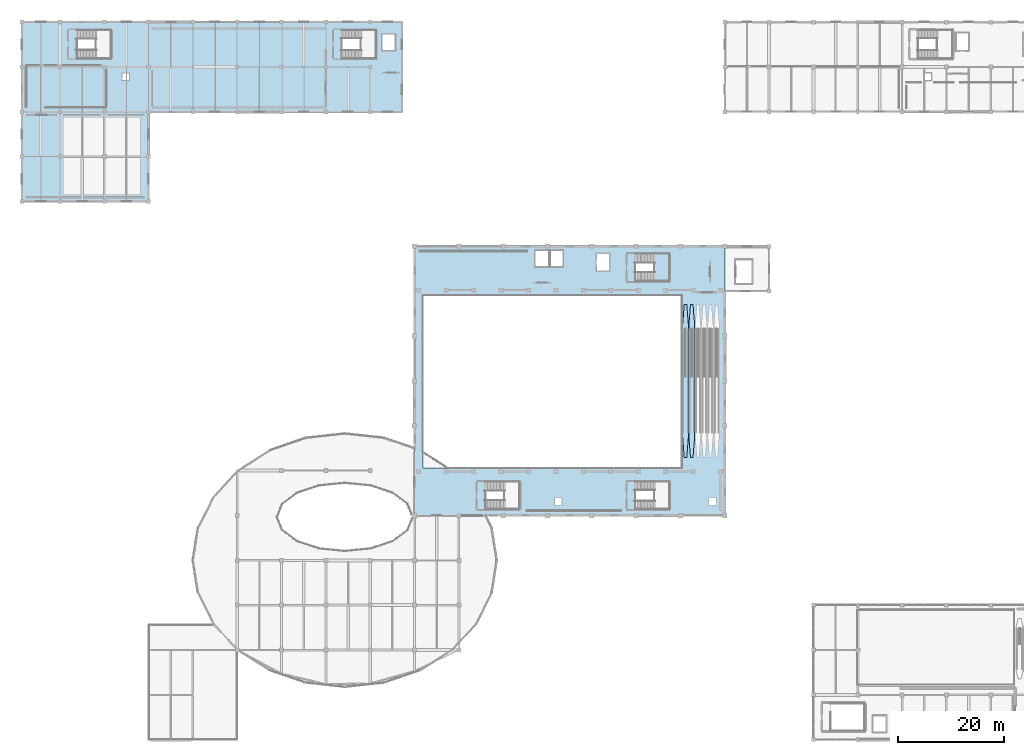
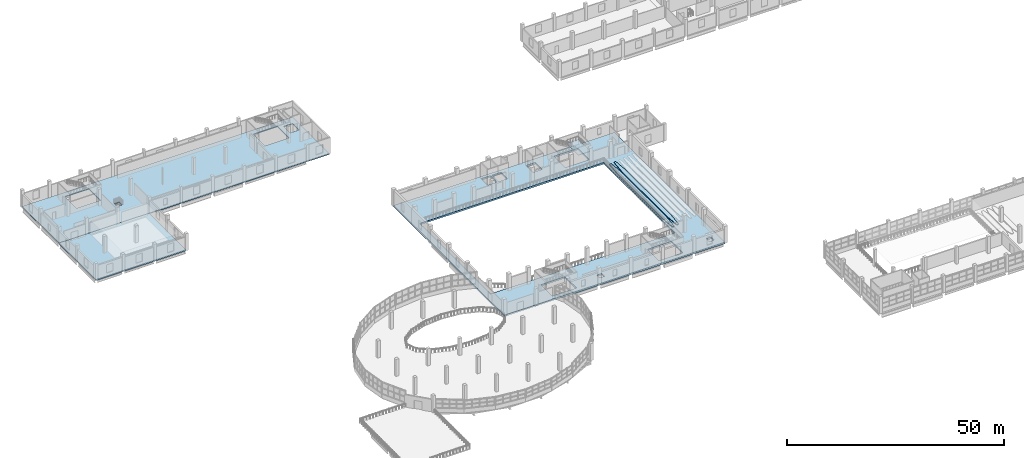
# One storey, part 53 of 77: 6 slabs, 1 element without a shape of its own.
"""IFC4 building model written with IfcOpenShell, lengths in metres."""

from ifc_helpers import new_model, si_unit, direction, frame, origin, place, context, subcontext, project, spatial, polyline, outline, extrude, material, layer, layer_set, type_object, element, aggregate, save


model = new_model("IFC4")

# Units and contexts
model_context = context("Model", 3, precision=1e-05, world=origin(), true_north=direction((0.0, 1.0)))
body_context = subcontext(model_context, "Body", "Model", "MODEL_VIEW")
ifc_project = project(units=[si_unit("LENGTHUNIT", "METRE"), si_unit("AREAUNIT", "SQUARE_METRE"), si_unit("VOLUMEUNIT", "CUBIC_METRE"), si_unit("PLANEANGLEUNIT", "RADIAN"), si_unit("MASSUNIT", "GRAM", prefix="KILO")], contexts=[model_context])

# Site, building, storey
site_placement = place(None, origin())
site = spatial("IfcSite", under=ifc_project, at=site_placement, CompositionType="ELEMENT")
building_placement = place(site_placement, origin())
building = spatial("IfcBuilding", under=site, at=building_placement, Name="Solvento Point Concert Hall", CompositionType="ELEMENT")
storey_placement = place(building_placement, frame((0.0, 0.0, 10.199951171875)))
storey = spatial("IfcBuildingStorey", under=building, at=storey_placement, Name="L02", CompositionType="ELEMENT", Elevation=10.199951171875)

# Slabs
ifc_material_1 = material(Name="Concrete C35/45", Category="concrete")
ifc_layer_1 = layer(ifc_material_1, 0.27001953125)
ifc_layer_set_1 = layer_set([ifc_layer_1], Name="Concrete C35/45")
slab_type_1 = type_object("IfcSlabType", Name="FloorSlab_270", PredefinedType="FLOOR", material=ifc_layer_set_1)
slab_1_placement = place(storey_placement, frame((0.0, 0.0, -0.27001953125)))
element("IfcSlab", 1, at=slab_1_placement, inside=storey, type_object=slab_type_1, Name="Structural slab SL-L02 SLAB-L02-V4N", PredefinedType="FLOOR", context=body_context, shape_type="SweptSolid", body=[
    extrude(outline(polyline([(0.0, 119.0), (0.0, 136.0), (72.0, 136.0), (72.0, 119.0), (0.0, 119.0)]), holes=[polyline([(70.679931640625, 133.679931640625), (68.320068359375, 133.679931640625), (68.320068359375, 130.719970703125), (70.679931640625, 130.719970703125), (70.679931640625, 133.679931640625)]), polyline([(67.10009765625, 129.10009765625), (67.10009765625, 134.5), (60.64990234375, 134.5), (60.64990234375, 129.10009765625), (67.10009765625, 129.10009765625)]), polyline([(20.300048828125, 126.300048828125), (19.0, 126.300048828125), (19.0, 125.0), (20.300048828125, 125.0), (20.300048828125, 126.300048828125)]), polyline([(16.89990234375, 129.10009765625), (16.89990234375, 134.5), (10.449951171875, 134.5), (10.449951171875, 129.10009765625), (16.89990234375, 129.10009765625)])]), origin(), (0.0, 0.0, 1.0), 0.27001953125),
])
ifc_material_2 = material(Name="Concrete C35/45", Category="concrete")
ifc_layer_2 = layer(ifc_material_2, 0.330078125)
ifc_layer_set_2 = layer_set([ifc_layer_2], Name="Concrete C35/45")
slab_type_2 = type_object("IfcSlabType", Name="FloorSlab_320_Reh", PredefinedType="FLOOR", material=ifc_layer_set_2)
slab_2_placement = place(storey_placement, frame((0.0, 0.0, -0.329833984375)))
element("IfcSlab", 2, at=slab_2_placement, inside=storey, type_object=slab_type_2, Name="Structural slab SL-AC2 SLAB-L02-V4W", PredefinedType="FLOOR", context=body_context, shape_type="SweptSolid", body=[
    extrude(outline(polyline([(0.0, 119.0), (24.0, 119.0), (24.0, 102.0), (0.0, 102.0), (0.0, 119.0)])), origin(), (0.0, 0.0, 1.0), 0.329833984375),
])
ifc_material_3 = material(Name="Concrete C40/50", Category="concrete")
ifc_layer_3 = layer(ifc_material_3, 0.43994140625)
ifc_layer_set_3 = layer_set([ifc_layer_3], Name="Concrete C40/50")
slab_type_3 = type_object("IfcSlabType", Name="FloorSlab_415_Balc", PredefinedType="FLOOR", material=ifc_layer_set_3)
slab_3_placement = place(storey_placement, frame((0.0, 0.0, -0.43994140625)))
element("IfcSlab", 3, at=slab_3_placement, inside=storey, type_object=slab_type_3, Name="Structural slab SL-BAL SLAB-L02-V1", PredefinedType="FLOOR", context=body_context, shape_type="SweptSolid", body=[
    extrude(outline(polyline([(133.199951171875, 93.5), (133.199951171875, 42.5), (74.39990234375, 42.5), (74.39990234375, 93.5), (133.199951171875, 93.5)]), holes=[polyline([(131.5, 44.5), (131.5, 45.800048828125), (130.199951171875, 45.800048828125), (130.199951171875, 44.5), (131.5, 44.5)]), polyline([(76.0, 51.5), (125.0, 51.5), (125.0, 84.199951171875), (76.0, 84.199951171875), (76.0, 51.5)]), polyline([(122.699951171875, 48.89990234375), (116.25, 48.89990234375), (116.25, 43.699951171875), (122.699951171875, 43.699951171875), (122.699951171875, 48.89990234375)]), polyline([(122.699951171875, 86.89990234375), (122.699951171875, 92.10009765625), (116.25, 92.10009765625), (116.25, 86.89990234375), (122.699951171875, 86.89990234375)]), polyline([(111.280029296875, 88.919921875), (111.280029296875, 92.080078125), (108.919921875, 92.080078125), (108.919921875, 88.919921875), (111.280029296875, 88.919921875)]), polyline([(102.47998046875, 92.679931640625), (100.1201171875, 92.679931640625), (100.1201171875, 89.719970703125), (102.47998046875, 89.719970703125), (102.47998046875, 92.679931640625)]), polyline([(102.300048828125, 45.800048828125), (101.0, 45.800048828125), (101.0, 44.5), (102.300048828125, 44.5), (102.300048828125, 45.800048828125)]), polyline([(99.679931640625, 92.679931640625), (97.320068359375, 92.679931640625), (97.320068359375, 89.719970703125), (99.679931640625, 89.719970703125), (99.679931640625, 92.679931640625)]), polyline([(94.300048828125, 48.89990234375), (87.85009765625, 48.89990234375), (87.85009765625, 43.699951171875), (94.300048828125, 43.699951171875), (94.300048828125, 48.89990234375)])]), origin(), (0.0, 0.0, 1.0), 0.43994140625),
])
ifc_material_4 = material(Name="Concrete C35/45", Category="concrete")
ifc_layer_4 = layer(ifc_material_4, 0.18994140625)
ifc_layer_set_4 = layer_set([ifc_layer_4], Name="Concrete C35/45")
slab_type_4 = type_object("IfcSlabType", Name="SeatingTier_190", PredefinedType="USERDEFINED", material=ifc_layer_set_4)
slab_4_placement = place(storey_placement, frame((0.0, 0.0, 0.18994140625)))
element("IfcSlab", 4, at=slab_4_placement, inside=storey, type_object=slab_type_4, Name="Stand parterre tier row 1", ObjectType="SEATING TIER", PredefinedType="USERDEFINED", context=body_context, shape_type="SweptSolid", body=[
    extrude(outline(polyline([(125.508056640625, 53.5), (125.991943359375, 53.5), (126.300048828125, 57.56005859375), (126.300048828125, 78.43994140625), (125.991943359375, 82.5), (125.508056640625, 82.5), (125.199951171875, 78.43994140625), (125.199951171875, 57.56005859375), (125.508056640625, 53.5)])), origin(), (0.0, 0.0, 1.0), 0.190185546875),
])
slab_5_placement = place(storey_placement, frame((0.0, 0.0, 0.3701171875)))
element("IfcSlab", 5, at=slab_5_placement, inside=storey, type_object=slab_type_4, Name="Stand parterre tier row 2", ObjectType="SEATING TIER", PredefinedType="USERDEFINED", context=body_context, shape_type="SweptSolid", body=[
    extrude(outline(polyline([(126.68798828125, 53.5), (127.172119140625, 53.5), (127.47998046875, 57.56005859375), (127.47998046875, 78.43994140625), (127.172119140625, 82.5), (126.68798828125, 82.5), (126.3798828125, 78.43994140625), (126.3798828125, 57.56005859375), (126.68798828125, 53.5)])), origin(), (0.0, 0.0, 1.0), 0.18994140625),
])

# Stair, slab
ifc_material_5 = material(Name="Concrete C35/45", Category="concrete")
stair_type = type_object("IfcStairType", Name="CoreStair_1760", PredefinedType="HALF_TURN_STAIR", material=ifc_material_5)
stair_placement = place(storey_placement, origin())
stair = element("IfcStair", 6, at=stair_placement, inside=storey, type_object=stair_type, Name="Protected exit stair ST-03 (L02 to L03)", PredefinedType="HALF_TURN_STAIR")
ifc_material_6 = material(Name="Concrete C35/45", Category="concrete")
ifc_layer_5 = layer(ifc_material_6, 0.179931640625)
ifc_layer_set_5 = layer_set([ifc_layer_5], Name="Concrete C35/45")
slab_type_5 = type_object("IfcSlabType", Name="StairLanding_180", PredefinedType="LANDING", material=ifc_layer_set_5)
slab_6_placement = place(storey_placement, frame((0.0, 0.0, 2.219970703125)))
slab_6 = element("IfcSlab", 7, at=slab_6_placement, type_object=slab_type_5, Name="Stair half-landing ST-03 L02", PredefinedType="LANDING", context=body_context, shape_type="SweptSolid", body=[
    extrude(outline(polyline([(119.719970703125, 86.760009765625), (122.840087890625, 86.760009765625), (122.840087890625, 92.239990234375), (119.719970703125, 92.239990234375), (119.719970703125, 86.760009765625)])), origin(), (0.0, 0.0, 1.0), 0.18017578125),
])
aggregate(stair, [slab_6])

save(model, "model.ifc")
